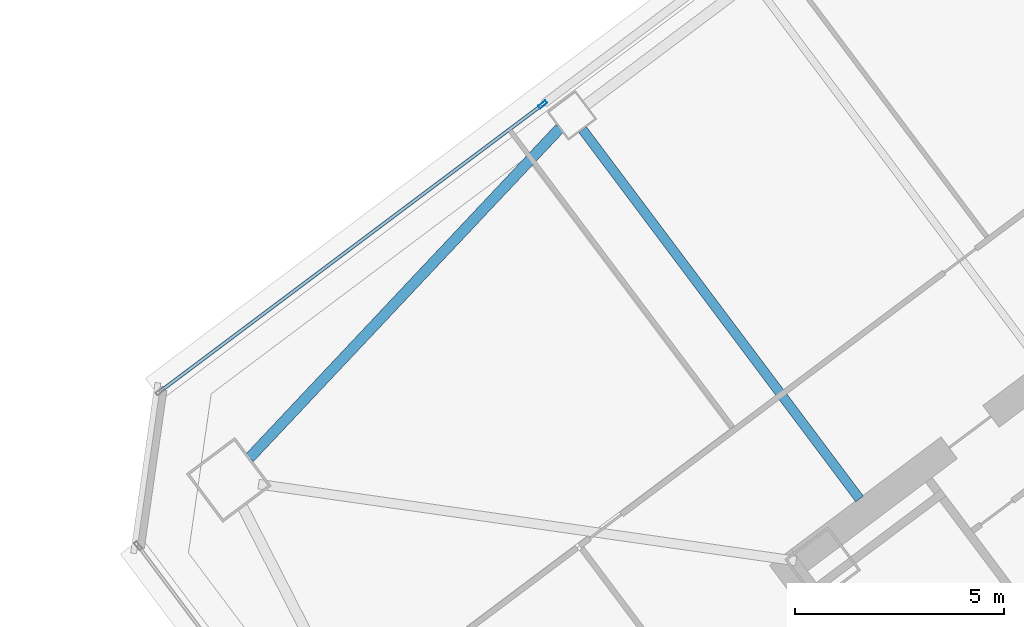
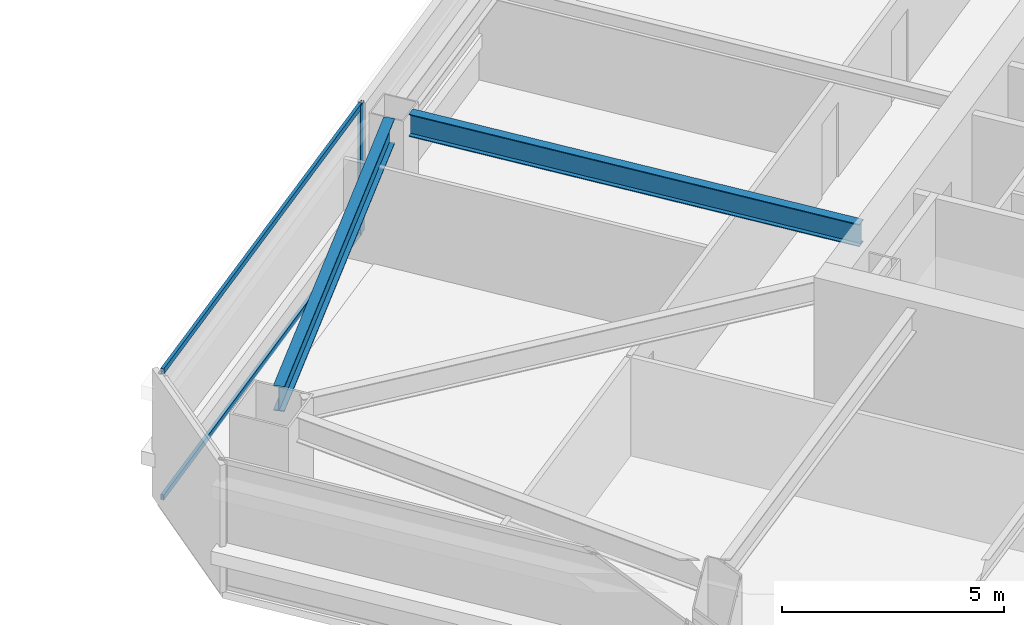
# One storey, part 27 of 44: 3 members, 2 beams, 1 element without a shape of its own.
"""IFC4 building model written with IfcOpenShell, lengths in metres."""

from ifc_helpers import new_model, si_unit, direction, frame, origin, origin_2d, place, context, subcontext, project, spatial, hollow_rectangle, i_section, extrude, material, material_profile, profile_set, type_object, element, aggregate, save


model = new_model("IFC4")

# Units and contexts
model_context = context("Model", 3, precision=1e-05, world=origin(), true_north=direction((0.0, 1.0)))
body_context = subcontext(model_context, "Body", "Model", "MODEL_VIEW")
ifc_project = project(units=[si_unit("LENGTHUNIT", "METRE"), si_unit("AREAUNIT", "SQUARE_METRE"), si_unit("VOLUMEUNIT", "CUBIC_METRE"), si_unit("PLANEANGLEUNIT", "RADIAN"), si_unit("MASSUNIT", "GRAM", prefix="KILO")], contexts=[model_context])

# Site, building, storey
site_placement = place(None, origin())
site = spatial("IfcSite", under=ifc_project, at=site_placement, CompositionType="ELEMENT")
building_placement = place(site_placement, origin())
building = spatial("IfcBuilding", under=site, at=building_placement, Name="Tashvorn Skyway Center", CompositionType="ELEMENT")
storey_placement = place(building_placement, frame((0.0, 0.0, 102.699951171875)))
storey = spatial("IfcBuildingStorey", under=building, at=storey_placement, Name="L27", CompositionType="ELEMENT", Elevation=102.699951171875)

# Beams
ifc_material_1 = material(Name="Steel ASTM A992 Grade 50", Category="steel")
ifc_material_profile_1 = material_profile(ifc_material_1, i_section(OverallWidth=0.22998046875, OverallDepth=0.616943359375, WebThickness=0.01318359375, FlangeThickness=0.022216796875, at=origin_2d()), Name="W24X94")
ifc_profile_set_1 = profile_set([ifc_material_profile_1], Name="Steel ASTM A992 Grade 50")
beam_type_1 = type_object("IfcBeamType", Name="BM-BEAM-W24X94", PredefinedType="BEAM", material=ifc_profile_set_1)
beam_1_placement = place(storey_placement, frame((98.382080078125, 43.823974609375, 3.04150390625), z_axis=(0.599989394744, -0.800007953832, 0.0), x_axis=(0.800007953832, 0.599989394744, 0.0)))
element("IfcBeam", 1, at=beam_1_placement, inside=storey, type_object=beam_type_1, Name="Tower 2 L27 Primary Floor Girder FC-N2", PredefinedType="BEAM", context=body_context, shape_type="SweptSolid", body=[
    extrude(i_section(OverallWidth=0.22998046875, OverallDepth=0.616943359375, WebThickness=0.01318359375, FlangeThickness=0.022216796875, at=origin_2d()), origin(), (0.0, 0.0, 1.0), 11.050048828125),
])
ifc_material_profile_2 = material_profile(ifc_material_1, i_section(OverallWidth=0.256103515625, OverallDepth=0.693115234375, WebThickness=0.014404296875, FlangeThickness=0.023681640625, at=origin_2d()), Name="W27X114")
ifc_profile_set_2 = profile_set([ifc_material_profile_2], Name="Steel ASTM A992 Grade 50")
beam_type_2 = type_object("IfcBeamType", Name="BM-SPANDREL-W27X114", PredefinedType="SPANDREL", material=ifc_profile_set_2)
beam_2_placement = place(storey_placement, frame((97.842041015625, 43.854248046875, 3.003662109375), z_axis=(-0.685484857238, -0.728086883893, 0.0), x_axis=(0.728086883893, -0.685484857238, 0.0)))
element("IfcBeam", 2, at=beam_2_placement, inside=storey, type_object=beam_type_2, Name="Tower 2 L27 Spandrel Beam 09", PredefinedType="SPANDREL", context=body_context, shape_type="SweptSolid", body=[
    extrude(i_section(OverallWidth=0.256103515625, OverallDepth=0.693115234375, WebThickness=0.014404296875, FlangeThickness=0.023681640625, at=origin_2d()), origin(), (0.0, 0.0, 1.0), 10.8369140625),
])

# Curtain wall, members
ifc_material_2 = material(Name="Thermally broken bronze-anodized aluminium 6063-T6", Category="aluminium")
curtain_wall_type = type_object("IfcCurtainWallType", Name="CW-CW-Z2", PredefinedType="NOTDEFINED", material=ifc_material_2)
curtain_wall_placement = place(storey_placement, origin())
curtain_wall = element("IfcCurtainWall", 3, at=curtain_wall_placement, inside=storey, type_object=curtain_wall_type, Name="Tower 2 L27 North Unitised Curtain Wall Glazing Group 1", PredefinedType="NOTDEFINED")
ifc_material_profile_3 = material_profile(ifc_material_2, hollow_rectangle(XDim=0.080078125, YDim=0.219970703125, WallThickness=0.0048828125, at=origin_2d()), Name="ALU-MULL-80x220")
ifc_profile_set_3 = profile_set([ifc_material_profile_3], Name="Thermally broken bronze-anodized aluminium 6063-T6")
member_type_1 = type_object("IfcMemberType", Name="CWM-CW-Z2", PredefinedType="MULLION", material=ifc_profile_set_3)
member_1_placement = place(storey_placement, frame((97.431884765625, 44.424072265625, 0.0), z_axis=(0.0, 0.0, 1.0), x_axis=(-0.600000000002, 0.799999999998, 0.0)))
member_1 = element("IfcMember", 4, at=member_1_placement, type_object=member_type_1, Name="CW-Z2 mullion 2", PredefinedType="MULLION", context=body_context, shape_type="SweptSolid", body=[
    extrude(hollow_rectangle(XDim=0.080078125, YDim=0.219970703125, WallThickness=0.0048828125, at=origin_2d()), origin(), (0.0, 0.0, 1.0), 3.550048828125),
])
ifc_material_profile_4 = material_profile(ifc_material_2, hollow_rectangle(XDim=0.080078125, YDim=0.14990234375, WallThickness=0.00439453125, at=origin_2d()), Name="ALU-TRAN-80x150")
ifc_profile_set_4 = profile_set([ifc_material_profile_4], Name="Thermally broken bronze-anodized aluminium 6063-T6")
member_type_2 = type_object("IfcMemberType", Name="CWT-CW-Z2", PredefinedType="USERDEFINED", material=ifc_profile_set_4)
member_2_placement = place(storey_placement, frame((88.31201171875, 37.583984375, 0.0400390625), z_axis=(0.8, 0.6, 0.0), x_axis=(-0.6, 0.8, 0.0)))
member_2 = element("IfcMember", 5, at=member_2_placement, type_object=member_type_2, Name="CW-Z2 transom 1.1", ObjectType="TRANSOM", PredefinedType="USERDEFINED", context=body_context, shape_type="SweptSolid", body=[
    extrude(hollow_rectangle(XDim=0.080078125, YDim=0.14990234375, WallThickness=0.00439453125, at=origin_2d()), origin(), (0.0, 0.0, 1.0), 11.35986328125),
])
member_3_placement = place(storey_placement, frame((88.31201171875, 37.583984375, 3.510009765625), z_axis=(0.8, 0.6, 0.0), x_axis=(-0.6, 0.8, 0.0)))
member_3 = element("IfcMember", 6, at=member_3_placement, type_object=member_type_2, Name="CW-Z2 transom 1.2", ObjectType="TRANSOM", PredefinedType="USERDEFINED", context=body_context, shape_type="SweptSolid", body=[
    extrude(hollow_rectangle(XDim=0.080078125, YDim=0.14990234375, WallThickness=0.00439453125, at=origin_2d()), origin(), (0.0, 0.0, 1.0), 11.35986328125),
])
aggregate(curtain_wall, [member_1, member_2, member_3])

save(model, "model.ifc")
